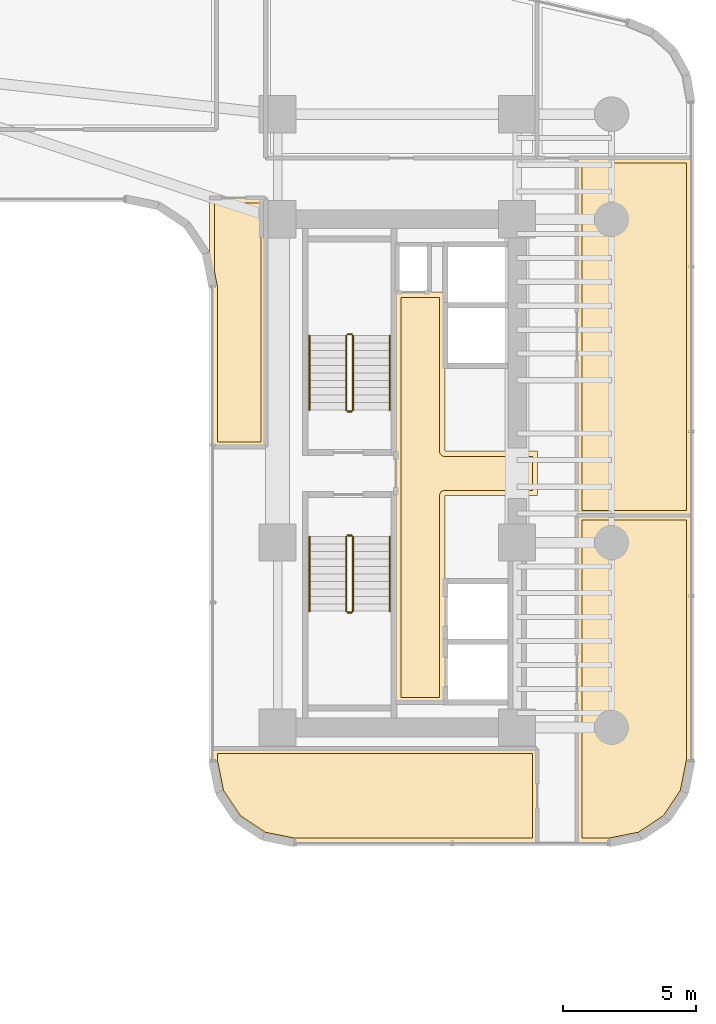
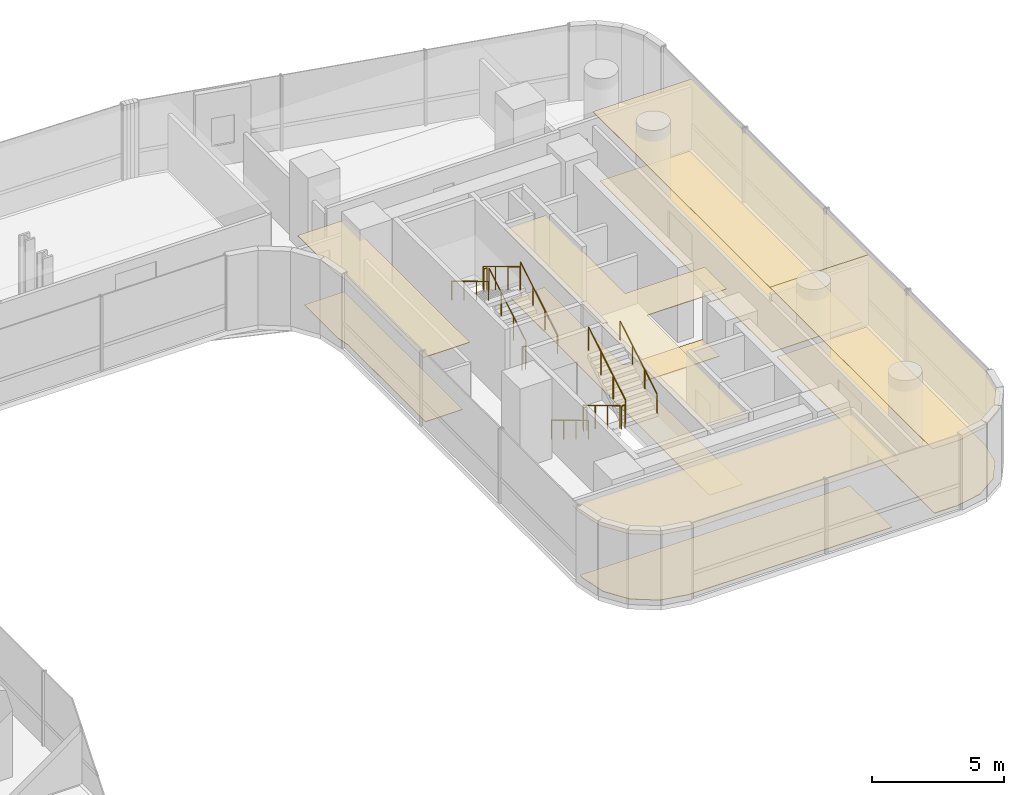
# One storey, part 39 of 40: 12 railings, 10 coverings.
"""IFC4 building model written with IfcOpenShell, lengths in metres."""

from ifc_helpers import new_model, si_unit, direction, frame, origin, origin_2d, place, context, subcontext, project, spatial, polyline, circle, outline, extrude, material, layer, layer_set, type_object, element, save


model = new_model("IFC4")

# Units and contexts
model_context = context("Model", 3, precision=1e-05, world=origin(), true_north=direction((0.0, 1.0)))
body_context = subcontext(model_context, "Body", "Model", "MODEL_VIEW")
ifc_project = project(units=[si_unit("LENGTHUNIT", "METRE"), si_unit("AREAUNIT", "SQUARE_METRE"), si_unit("VOLUMEUNIT", "CUBIC_METRE"), si_unit("PLANEANGLEUNIT", "RADIAN"), si_unit("MASSUNIT", "GRAM", prefix="KILO")], contexts=[model_context])

# Site, building, storey
site_placement = place(None, origin())
site = spatial("IfcSite", under=ifc_project, at=site_placement, CompositionType="ELEMENT")
building_placement = place(site_placement, origin())
building = spatial("IfcBuilding", under=site, at=building_placement, Name="Valdorenza Pilgrim Sanctuary Tower", CompositionType="ELEMENT")
storey_placement = place(building_placement, frame((0.0, 0.0, 51.89990234375)))
storey = spatial("IfcBuildingStorey", under=building, at=storey_placement, Name="L12", CompositionType="ELEMENT", Elevation=51.89990234375)

# Coverings
ifc_material_1 = material(Name="Micro-perforated acoustic mineral ceiling tile", Category="gypsum")
ifc_layer_1 = layer(ifc_material_1, 0.02490234375, Name="Micro-perforated acoustic mineral ceiling tile")
ifc_layer_set_1 = layer_set([ifc_layer_1], Name="Micro-perforated acoustic mineral ceiling tile")
covering_type_1 = type_object("IfcCoveringType", Name="COV-CLG-ACU", PredefinedType="CEILING", material=ifc_layer_set_1)
covering_1_placement = place(storey_placement, frame((0.0, 0.0, 3.16015625)))
element("IfcCovering", 1, at=covering_1_placement, inside=storey, type_object=covering_type_1, Name="L12 Core B Passenger Lift Lobby Acoustic Ceiling", PredefinedType="CEILING", context=body_context, shape_type="SweptSolid", body=[
    extrude(outline(polyline([(20.287109375, -0.814697265625), (20.287109375, 0.814697265625), (20.28662109375, 0.815185546875), (20.2861328125, 0.81640625), (20.28564453125, 0.81787109375), (20.285400390625, 0.819091796875), (20.28515625, 0.820556640625), (20.284912109375, 0.822021484375), (20.284912109375, 6.800048828125), (20.28515625, 6.801513671875), (20.285400390625, 6.802978515625), (20.28564453125, 6.804443359375), (20.2861328125, 6.8056640625), (20.286865234375, 6.80712890625), (20.28759765625, 6.808349609375), (20.288330078125, 6.8095703125), (20.289306640625, 6.810546875), (20.29052734375, 6.8115234375), (20.291748046875, 6.8125), (20.29296875, 6.813232421875), (20.294189453125, 6.81396484375), (20.295654296875, 6.814453125), (20.297119140625, 6.814697265625), (20.298583984375, 6.81494140625), (20.300048828125, 6.81494140625), (20.347900390625, 6.81494140625), (20.349365234375, 6.81494140625), (20.350830078125, 6.814697265625), (20.352294921875, 6.814453125), (20.353515625, 6.81396484375), (20.35498046875, 6.813232421875), (20.35546875, 6.81298828125), (21.544677734375, 6.81298828125), (21.545166015625, 6.813232421875), (21.54638671875, 6.81396484375), (21.5478515625, 6.814453125), (21.54931640625, 6.814697265625), (21.550537109375, 6.81494140625), (21.552001953125, 6.81494140625), (22.1201171875, 6.81494140625), (22.12158203125, 6.81494140625), (22.122802734375, 6.814697265625), (22.12451171875, 6.814453125), (22.125732421875, 6.81396484375), (22.127197265625, 6.813232421875), (22.12841796875, 6.8125), (22.12939453125, 6.8115234375), (22.130615234375, 6.810546875), (22.131591796875, 6.8095703125), (22.132568359375, 6.808349609375), (22.13330078125, 6.80712890625), (22.1337890625, 6.8056640625), (22.134521484375, 6.804443359375), (22.134765625, 6.802978515625), (22.135009765625, 6.801513671875), (22.135009765625, 6.800048828125), (22.135009765625, 0.8349609375), (25.60009765625, 0.8349609375), (25.6015625, 0.8349609375), (25.602783203125, 0.834716796875), (25.6044921875, 0.83447265625), (25.605712890625, 0.833984375), (25.607177734375, 0.833251953125), (25.6083984375, 0.83251953125), (25.609619140625, 0.83154296875), (25.610595703125, 0.83056640625), (25.611572265625, 0.82958984375), (25.612548828125, 0.828369140625), (25.61328125, 0.8271484375), (25.614013671875, 0.82568359375), (25.614501953125, 0.824462890625), (25.61474609375, 0.822998046875), (25.614990234375, 0.821533203125), (25.614990234375, 0.820068359375), (25.614990234375, -0.820068359375), (25.614990234375, -0.821533203125), (25.61474609375, -0.822998046875), (25.614501953125, -0.824462890625), (25.614013671875, -0.82568359375), (25.61328125, -0.8271484375), (25.612548828125, -0.828369140625), (25.611572265625, -0.82958984375), (25.610595703125, -0.83056640625), (25.609619140625, -0.83154296875), (25.6083984375, -0.83251953125), (25.607177734375, -0.833251953125), (25.605712890625, -0.833984375), (25.6044921875, -0.83447265625), (25.602783203125, -0.834716796875), (25.6015625, -0.8349609375), (25.60009765625, -0.8349609375), (22.135009765625, -0.8349609375), (22.135009765625, -8.60009765625), (22.135009765625, -8.6015625), (22.134765625, -8.602783203125), (22.134521484375, -8.6044921875), (22.1337890625, -8.605712890625), (22.13330078125, -8.607177734375), (22.132568359375, -8.6083984375), (22.131591796875, -8.609619140625), (22.130615234375, -8.610595703125), (22.12939453125, -8.611572265625), (22.12841796875, -8.612548828125), (22.127197265625, -8.61328125), (22.125732421875, -8.614013671875), (22.12451171875, -8.614501953125), (22.122802734375, -8.61474609375), (22.12158203125, -8.614990234375), (22.1201171875, -8.614990234375), (20.300048828125, -8.614990234375), (20.298583984375, -8.614990234375), (20.297119140625, -8.61474609375), (20.295654296875, -8.614501953125), (20.294189453125, -8.614013671875), (20.29296875, -8.61328125), (20.291748046875, -8.612548828125), (20.29052734375, -8.611572265625), (20.289306640625, -8.610595703125), (20.288330078125, -8.609619140625), (20.28759765625, -8.6083984375), (20.286865234375, -8.607177734375), (20.2861328125, -8.605712890625), (20.28564453125, -8.6044921875), (20.285400390625, -8.602783203125), (20.28515625, -8.6015625), (20.284912109375, -8.60009765625), (20.284912109375, -0.822021484375), (20.28515625, -0.820556640625), (20.285400390625, -0.819091796875), (20.28564453125, -0.81787109375), (20.2861328125, -0.81640625), (20.28662109375, -0.815185546875), (20.287109375, -0.814697265625)])), origin(), (0.0, 0.0, 1.0), 0.02490234375),
])
covering_2_placement = place(storey_placement, frame((0.0, 0.0, 3.16015625)))
element("IfcCovering", 2, at=covering_2_placement, inside=storey, type_object=covering_type_1, Name="L12 Theological Reference Library L12-BS Acoustic Ceiling", PredefinedType="CEILING", context=body_context, shape_type="SweptSolid", body=[
    extrude(outline(polyline([(25.614990234375, -13.889892578125), (25.614990234375, -13.8916015625), (25.61474609375, -13.892822265625), (25.614501953125, -13.894287109375), (25.614013671875, -13.895751953125), (25.61328125, -13.897216796875), (25.612548828125, -13.898193359375), (25.611572265625, -13.8994140625), (25.610595703125, -13.900634765625), (25.609619140625, -13.901611328125), (25.6083984375, -13.902587890625), (25.607177734375, -13.9033203125), (25.605712890625, -13.90380859375), (25.6044921875, -13.904296875), (25.602783203125, -13.90478515625), (25.6015625, -13.90478515625), (25.60009765625, -13.905029296875), (16.5107421875, -13.905029296875), (16.509521484375, -13.90478515625), (16.5078125, -13.90478515625), (15.3154296875, -13.66748046875), (15.31396484375, -13.6669921875), (15.3125, -13.66650390625), (15.311279296875, -13.666015625), (15.31005859375, -13.665283203125), (14.308349609375, -12.995849609375), (14.30712890625, -12.9951171875), (14.305908203125, -12.993896484375), (14.304931640625, -12.992919921875), (14.30419921875, -12.99169921875), (13.634765625, -11.989990234375), (13.634033203125, -11.98876953125), (13.63330078125, -11.9873046875), (13.6328125, -11.986083984375), (13.632568359375, -11.984619140625), (13.395263671875, -10.7919921875), (13.39501953125, -10.79052734375), (13.39501953125, -10.789306640625), (13.39501953125, -10.35009765625), (13.39501953125, -10.348388671875), (13.395263671875, -10.34716796875), (13.3955078125, -10.345703125), (13.39599609375, -10.34423828125), (13.396728515625, -10.343017578125), (13.3974609375, -10.341796875), (13.3984375, -10.340576171875), (13.3994140625, -10.33935546875), (13.400390625, -10.33837890625), (13.401611328125, -10.33740234375), (13.40283203125, -10.3369140625), (13.404296875, -10.336181640625), (13.405517578125, -10.335693359375), (13.406982421875, -10.335205078125), (13.408447265625, -10.335205078125), (13.409912109375, -10.3349609375), (25.60009765625, -10.3349609375), (25.6015625, -10.335205078125), (25.602783203125, -10.335205078125), (25.6044921875, -10.335693359375), (25.605712890625, -10.336181640625), (25.607177734375, -10.3369140625), (25.6083984375, -10.33740234375), (25.609619140625, -10.33837890625), (25.610595703125, -10.33935546875), (25.611572265625, -10.340576171875), (25.612548828125, -10.341796875), (25.61328125, -10.343017578125), (25.614013671875, -10.34423828125), (25.614501953125, -10.345703125), (25.61474609375, -10.34716796875), (25.614990234375, -10.348388671875), (25.614990234375, -10.35009765625), (25.614990234375, -13.889892578125)])), origin(), (0.0, 0.0, 1.0), 0.02490234375),
])
covering_3_placement = place(storey_placement, frame((0.0, 0.0, 3.16015625)))
element("IfcCovering", 3, at=covering_3_placement, inside=storey, type_object=covering_type_1, Name="L12 Sacred Art Exhibition Gallery L12-EB1 Acoustic Ceiling", PredefinedType="CEILING", context=body_context, shape_type="SweptSolid", body=[
    extrude(outline(polyline([(31.389892578125, -1.56005859375), (31.3916015625, -1.56005859375), (31.392822265625, -1.560302734375), (31.394287109375, -1.560546875), (31.395751953125, -1.56103515625), (31.397216796875, -1.561767578125), (31.398193359375, -1.5625), (31.3994140625, -1.5634765625), (31.400634765625, -1.564453125), (31.401611328125, -1.5654296875), (31.402587890625, -1.566650390625), (31.4033203125, -1.56787109375), (31.40380859375, -1.5693359375), (31.404296875, -1.570556640625), (31.40478515625, -1.572021484375), (31.40478515625, -1.573486328125), (31.405029296875, -1.574951171875), (31.405029296875, -10.789306640625), (31.40478515625, -10.79052734375), (31.40478515625, -10.7919921875), (31.16748046875, -11.984619140625), (31.1669921875, -11.986083984375), (31.16650390625, -11.9873046875), (31.166015625, -11.98876953125), (31.165283203125, -11.989990234375), (30.495849609375, -12.99169921875), (30.4951171875, -12.992919921875), (30.493896484375, -12.993896484375), (30.492919921875, -12.9951171875), (30.49169921875, -12.995849609375), (29.489990234375, -13.665283203125), (29.48876953125, -13.666015625), (29.4873046875, -13.66650390625), (29.486083984375, -13.6669921875), (29.484619140625, -13.66748046875), (28.2919921875, -13.90478515625), (28.29052734375, -13.90478515625), (28.289306640625, -13.905029296875), (27.10009765625, -13.905029296875), (27.098388671875, -13.90478515625), (27.09716796875, -13.90478515625), (27.095703125, -13.904296875), (27.09423828125, -13.90380859375), (27.093017578125, -13.9033203125), (27.091796875, -13.902587890625), (27.090576171875, -13.901611328125), (27.08935546875, -13.900634765625), (27.08837890625, -13.8994140625), (27.08740234375, -13.898193359375), (27.0869140625, -13.897216796875), (27.086181640625, -13.895751953125), (27.085693359375, -13.894287109375), (27.085205078125, -13.892822265625), (27.085205078125, -13.8916015625), (27.0849609375, -13.889892578125), (27.0849609375, -1.574951171875), (27.085205078125, -1.573486328125), (27.085205078125, -1.572021484375), (27.085693359375, -1.570556640625), (27.086181640625, -1.5693359375), (27.0869140625, -1.56787109375), (27.08740234375, -1.566650390625), (27.08837890625, -1.5654296875), (27.08935546875, -1.564453125), (27.090576171875, -1.5634765625), (27.091796875, -1.5625), (27.093017578125, -1.561767578125), (27.09423828125, -1.56103515625), (27.095703125, -1.560546875), (27.09716796875, -1.560302734375), (27.098388671875, -1.56005859375), (27.10009765625, -1.56005859375), (31.389892578125, -1.56005859375)])), origin(), (0.0, 0.0, 1.0), 0.02490234375),
])
covering_4_placement = place(storey_placement, frame((0.0, 0.0, 3.16015625)))
element("IfcCovering", 4, at=covering_4_placement, inside=storey, type_object=covering_type_1, Name="L12 Sacred Art Exhibition Gallery L12-EB2 Acoustic Ceiling", PredefinedType="CEILING", context=body_context, shape_type="SweptSolid", body=[
    extrude(outline(polyline([(27.0849609375, 11.847900390625), (27.085205078125, 11.849609375), (27.085205078125, 11.850830078125), (27.085693359375, 11.852294921875), (27.086181640625, 11.853759765625), (27.0869140625, 11.85498046875), (27.08740234375, 11.856201171875), (27.08837890625, 11.857421875), (27.08935546875, 11.858642578125), (27.090576171875, 11.859619140625), (27.091796875, 11.860595703125), (27.093017578125, 11.861083984375), (27.09423828125, 11.86181640625), (27.095703125, 11.8623046875), (27.09716796875, 11.86279296875), (27.098388671875, 11.86279296875), (27.10009765625, 11.863037109375), (31.389892578125, 11.863037109375), (31.3916015625, 11.86279296875), (31.392822265625, 11.86279296875), (31.394287109375, 11.8623046875), (31.395751953125, 11.86181640625), (31.397216796875, 11.861083984375), (31.398193359375, 11.860595703125), (31.3994140625, 11.859619140625), (31.400634765625, 11.858642578125), (31.401611328125, 11.857421875), (31.402587890625, 11.856201171875), (31.4033203125, 11.85498046875), (31.40380859375, 11.853759765625), (31.404296875, 11.852294921875), (31.40478515625, 11.850830078125), (31.40478515625, 11.849609375), (31.405029296875, 11.847900390625), (31.405029296875, -1.572998046875), (31.40478515625, -1.574462890625), (31.40478515625, -1.575927734375), (31.404296875, -1.577392578125), (31.40380859375, -1.57861328125), (31.4033203125, -1.580078125), (31.402587890625, -1.581298828125), (31.401611328125, -1.58251953125), (31.400634765625, -1.58349609375), (31.3994140625, -1.584716796875), (31.398193359375, -1.58544921875), (31.397216796875, -1.586181640625), (31.395751953125, -1.5869140625), (31.394287109375, -1.58740234375), (31.392822265625, -1.587646484375), (31.3916015625, -1.587890625), (31.389892578125, -1.587890625), (27.10009765625, -1.587890625), (27.098388671875, -1.587890625), (27.09716796875, -1.587646484375), (27.095703125, -1.58740234375), (27.09423828125, -1.5869140625), (27.093017578125, -1.586181640625), (27.091796875, -1.58544921875), (27.090576171875, -1.584716796875), (27.08935546875, -1.58349609375), (27.08837890625, -1.58251953125), (27.08740234375, -1.581298828125), (27.0869140625, -1.580078125), (27.086181640625, -1.57861328125), (27.085693359375, -1.577392578125), (27.085205078125, -1.575927734375), (27.085205078125, -1.574462890625), (27.0849609375, -1.572998046875), (27.0849609375, 11.847900390625)])), origin(), (0.0, 0.0, 1.0), 0.02490234375),
])
covering_5_placement = place(storey_placement, frame((0.0, 0.0, 3.16015625)))
element("IfcCovering", 5, at=covering_5_placement, inside=storey, type_object=covering_type_1, Name="L12 Courtyard Overlook Salon L12 Acoustic Ceiling", PredefinedType="CEILING", context=body_context, shape_type="SweptSolid", body=[
    extrude(outline(polyline([(15.39990234375, 10.364990234375), (15.401611328125, 10.364990234375), (15.40283203125, 10.36474609375), (15.404296875, 10.364501953125), (15.40576171875, 10.364013671875), (15.406982421875, 10.36328125), (15.408203125, 10.362548828125), (15.409423828125, 10.361572265625), (15.41064453125, 10.360595703125), (15.41162109375, 10.359619140625), (15.41259765625, 10.3583984375), (15.4130859375, 10.357177734375), (15.413818359375, 10.355712890625), (15.414306640625, 10.3544921875), (15.414794921875, 10.352783203125), (15.414794921875, 10.3515625), (15.4150390625, 10.35009765625), (15.4150390625, 1.0), (15.414794921875, 0.99853515625), (15.414794921875, 0.9970703125), (15.414306640625, 0.99560546875), (15.413818359375, 0.994384765625), (15.4130859375, 0.992919921875), (15.41259765625, 0.99169921875), (15.41162109375, 0.990478515625), (15.41064453125, 0.989501953125), (15.409423828125, 0.98828125), (15.408203125, 0.987548828125), (15.406982421875, 0.98681640625), (15.40576171875, 0.986083984375), (15.404296875, 0.985595703125), (15.40283203125, 0.9853515625), (15.401611328125, 0.985107421875), (15.39990234375, 0.985107421875), (13.409912109375, 0.985107421875), (13.408447265625, 0.985107421875), (13.406982421875, 0.9853515625), (13.405517578125, 0.985595703125), (13.404296875, 0.986083984375), (13.40283203125, 0.98681640625), (13.401611328125, 0.987548828125), (13.400390625, 0.98828125), (13.3994140625, 0.989501953125), (13.3984375, 0.990478515625), (13.3974609375, 0.99169921875), (13.396728515625, 0.992919921875), (13.39599609375, 0.994384765625), (13.3955078125, 0.99560546875), (13.395263671875, 0.9970703125), (13.39501953125, 0.99853515625), (13.39501953125, 1.0), (13.39501953125, 6.99951171875), (13.39453125, 7.00927734375), (13.39306640625, 7.018798828125), (13.285400390625, 7.560791015625), (13.28515625, 7.562255859375), (13.284912109375, 7.563720703125), (13.284912109375, 10.35009765625), (13.28515625, 10.3515625), (13.285400390625, 10.352783203125), (13.28564453125, 10.3544921875), (13.2861328125, 10.355712890625), (13.286865234375, 10.357177734375), (13.28759765625, 10.3583984375), (13.288330078125, 10.359619140625), (13.289306640625, 10.360595703125), (13.29052734375, 10.361572265625), (13.291748046875, 10.362548828125), (13.29296875, 10.36328125), (13.294189453125, 10.364013671875), (13.295654296875, 10.364501953125), (13.297119140625, 10.36474609375), (13.298583984375, 10.364990234375), (13.300048828125, 10.364990234375), (15.39990234375, 10.364990234375)])), origin(), (0.0, 0.0, 1.0), 0.02490234375),
])
ifc_material_2 = material(Name="Honed travertine stone flooring", Category="masonry")
ifc_layer_2 = layer(ifc_material_2, 0.030029296875, Name="Honed travertine stone flooring")
ifc_layer_set_2 = layer_set([ifc_layer_2], Name="Honed travertine stone flooring")
covering_type_2 = type_object("IfcCoveringType", Name="COV-FLR-TRV", PredefinedType="FLOORING", material=ifc_layer_set_2)
covering_6_placement = place(storey_placement, origin())
element("IfcCovering", 6, at=covering_6_placement, inside=storey, type_object=covering_type_2, Name="L12 Core B Passenger Lift Lobby Flooring", PredefinedType="FLOORING", context=body_context, shape_type="SweptSolid", body=[
    extrude(outline(polyline([(20.47998046875, 6.617919921875), (21.550048828125, 6.617919921875), (21.550537109375, 6.617919921875), (21.93994140625, 6.619384765625), (21.93994140625, 0.820068359375), (21.94091796875, 0.802490234375), (21.943603515625, 0.784912109375), (21.94775390625, 0.767578125), (21.95361328125, 0.751220703125), (21.961181640625, 0.735107421875), (21.97021484375, 0.719970703125), (21.98095703125, 0.705810546875), (21.99267578125, 0.692626953125), (22.005859375, 0.680908203125), (22.02001953125, 0.67041015625), (22.03515625, 0.661376953125), (22.051025390625, 0.65380859375), (22.067626953125, 0.647705078125), (22.0849609375, 0.6435546875), (22.102294921875, 0.640869140625), (22.1201171875, 0.639892578125), (25.419921875, 0.639892578125), (25.419921875, -0.639892578125), (22.1201171875, -0.639892578125), (22.102294921875, -0.640869140625), (22.0849609375, -0.6435546875), (22.067626953125, -0.647705078125), (22.051025390625, -0.65380859375), (22.03515625, -0.661376953125), (22.02001953125, -0.67041015625), (22.005859375, -0.680908203125), (21.99267578125, -0.692626953125), (21.98095703125, -0.705810546875), (21.97021484375, -0.719970703125), (21.961181640625, -0.735107421875), (21.95361328125, -0.751220703125), (21.94775390625, -0.767578125), (21.943603515625, -0.784912109375), (21.94091796875, -0.802490234375), (21.93994140625, -0.820068359375), (21.93994140625, -8.419921875), (20.47998046875, -8.419921875), (20.47998046875, -0.846923828125), (20.47998046875, -0.8466796875), (20.47998046875, -0.8466796875), (20.481689453125, -0.8291015625), (20.481689453125, -0.828857421875), (20.48193359375, -0.820068359375), (20.48193359375, 0.820068359375), (20.47998046875, 6.617919921875)])), origin(), (0.0, 0.0, 1.0), 0.025146484375),
])
covering_7_placement = place(storey_placement, origin())
element("IfcCovering", 7, at=covering_7_placement, inside=storey, type_object=covering_type_2, Name="L12 Theological Reference Library L12-BS Flooring", PredefinedType="FLOORING", context=body_context, shape_type="SweptSolid", body=[
    extrude(outline(polyline([(25.419921875, -13.7099609375), (16.528564453125, -13.7099609375), (15.388671875, -13.483154296875), (14.4462890625, -12.853515625), (13.81689453125, -11.911376953125), (13.590087890625, -10.771484375), (13.590087890625, -10.530029296875), (25.419921875, -10.530029296875), (25.419921875, -13.7099609375)])), origin(), (0.0, 0.0, 1.0), 0.025146484375),
])
covering_8_placement = place(storey_placement, origin())
element("IfcCovering", 8, at=covering_8_placement, inside=storey, type_object=covering_type_2, Name="L12 Sacred Art Exhibition Gallery L12-EB1 Flooring", PredefinedType="FLOORING", context=body_context, shape_type="SweptSolid", body=[
    extrude(outline(polyline([(31.2099609375, -1.7548828125), (31.2099609375, -10.771484375), (30.983154296875, -11.911376953125), (30.353515625, -12.853515625), (29.411376953125, -13.483154296875), (28.271484375, -13.7099609375), (27.280029296875, -13.7099609375), (27.280029296875, -1.7548828125), (31.2099609375, -1.7548828125)])), origin(), (0.0, 0.0, 1.0), 0.025146484375),
])
covering_9_placement = place(storey_placement, origin())
element("IfcCovering", 9, at=covering_9_placement, inside=storey, type_object=covering_type_2, Name="L12 Sacred Art Exhibition Gallery L12-EB2 Flooring", PredefinedType="FLOORING", context=body_context, shape_type="SweptSolid", body=[
    extrude(outline(polyline([(27.280029296875, 11.66796875), (31.2099609375, 11.66796875), (31.2099609375, -1.39306640625), (27.280029296875, -1.39306640625), (27.280029296875, 11.66796875)])), origin(), (0.0, 0.0, 1.0), 0.025146484375),
])
covering_10_placement = place(storey_placement, origin())
element("IfcCovering", 10, at=covering_10_placement, inside=storey, type_object=covering_type_2, Name="L12 Courtyard Overlook Salon L12 Flooring", PredefinedType="FLOORING", context=body_context, shape_type="SweptSolid", body=[
    extrude(outline(polyline([(15.219970703125, 10.169921875), (15.219970703125, 1.179931640625), (13.590087890625, 1.179931640625), (13.590087890625, 7.0), (13.58984375, 7.0087890625), (13.58935546875, 7.01953125), (13.58740234375, 7.037109375), (13.5859375, 7.0478515625), (13.58447265625, 7.056640625), (13.47998046875, 7.58154296875), (13.47998046875, 10.169921875), (15.219970703125, 10.169921875)])), origin(), (0.0, 0.0, 1.0), 0.025146484375),
])

# Railings
ifc_material_3 = material(Name="Stainless steel Grade 316", Category="steel")
railing_type_1 = type_object("IfcRailingType", Name="RLG-GRD-1120", PredefinedType="GUARDRAIL", material=ifc_material_3)
railing_1_placement = place(storey_placement, frame((18.679931640625, 2.3798828125, 0.168212890625)))
element("IfcRailing", 11, at=railing_1_placement, inside=storey, type_object=railing_type_1, Name="L12 ST-B1 stair guard 1", PredefinedType="GUARDRAIL", context=body_context, shape_type="SweptSolid", body=[
    extrude(circle(Radius=0.02392578125, at=origin_2d()), frame((0.0, 0.0, 1.076171875), z_axis=(0.0, 0.857242210791, 0.514913383045), x_axis=(-1.0, 0.0, 0.0)), (0.0, 0.0, 1.0), 3.266357421875),
    extrude(circle(Radius=0.02099609375, at=origin_2d()), origin(), (0.0, 0.0, 1.0), 1.052001953125),
    extrude(circle(Radius=0.02099609375, at=origin_2d()), frame((0.0, 0.933349609375, 0.560546875)), (0.0, 0.0, 1.0), 1.052001953125),
    extrude(circle(Radius=0.02099609375, at=origin_2d()), frame((0.0, 1.86669921875, 1.121337890625)), (0.0, 0.0, 1.0), 1.052001953125),
    extrude(circle(Radius=0.02099609375, at=origin_2d()), frame((0.0, 2.800048828125, 1.681884765625)), (0.0, 0.0, 1.0), 1.052001953125),
])
railing_2_placement = place(storey_placement, frame((18.6298828125, 5.22998046875, 1.85009765625)))
element("IfcRailing", 12, at=railing_2_placement, inside=storey, type_object=railing_type_1, Name="L12 ST-B1 stair guard 2", PredefinedType="GUARDRAIL", context=body_context, shape_type="SweptSolid", body=[
    extrude(circle(Radius=0.02392578125, at=origin_2d()), frame((0.0, 0.0, 1.076171875), z_axis=(-1.0, 0.0, 0.0), x_axis=(0.0, -1.0, 0.0)), (0.0, 0.0, 1.0), 0.14990234375),
    extrude(circle(Radius=0.02099609375, at=origin_2d()), origin(), (0.0, 0.0, 1.0), 1.052001953125),
    extrude(circle(Radius=0.02099609375, at=origin_2d()), frame((-0.14990234375, 0.0, 0.0)), (0.0, 0.0, 1.0), 1.052001953125),
])
railing_3_placement = place(storey_placement, frame((18.429931640625, 5.179931640625, 2.018310546875)))
element("IfcRailing", 13, at=railing_3_placement, inside=storey, type_object=railing_type_1, Name="L12 ST-B1 stair guard 3", PredefinedType="GUARDRAIL", context=body_context, shape_type="SweptSolid", body=[
    extrude(circle(Radius=0.02392578125, at=origin_2d()), frame((0.0, 0.0, 1.076171875), z_axis=(0.0, -0.857242210791, 0.514913383045), x_axis=(1.0, 0.0, 0.0)), (0.0, 0.0, 1.0), 3.266357421875),
    extrude(circle(Radius=0.02099609375, at=origin_2d()), origin(), (0.0, 0.0, 1.0), 1.052001953125),
    extrude(circle(Radius=0.02099609375, at=origin_2d()), frame((0.0, -0.933349609375, 0.560546875)), (0.0, 0.0, 1.0), 1.052001953125),
    extrude(circle(Radius=0.02099609375, at=origin_2d()), frame((0.0, -1.86669921875, 1.121337890625)), (0.0, 0.0, 1.0), 1.052001953125),
    extrude(circle(Radius=0.02099609375, at=origin_2d()), frame((0.0, -2.800048828125, 1.681884765625)), (0.0, 0.0, 1.0), 1.052001953125),
])
railing_4_placement = place(storey_placement, frame((18.6298828125, 2.330078125, 0.0)))
element("IfcRailing", 14, at=railing_4_placement, inside=storey, type_object=railing_type_1, Name="L12 ST-B1 stair guard 4", PredefinedType="GUARDRAIL", context=body_context, shape_type="SweptSolid", body=[
    extrude(circle(Radius=0.02392578125, at=origin_2d()), frame((0.0, 0.0, 1.076171875), z_axis=(-1.0, 0.0, 0.0), x_axis=(0.0, -1.0, 0.0)), (0.0, 0.0, 1.0), 0.14990234375),
    extrude(circle(Radius=0.02099609375, at=origin_2d()), origin(), (0.0, 0.0, 1.0), 1.052001953125),
    extrude(circle(Radius=0.02099609375, at=origin_2d()), frame((-0.14990234375, 0.0, 0.0)), (0.0, 0.0, 1.0), 1.052001953125),
])
railing_5_placement = place(storey_placement, frame((18.429931640625, -2.3798828125, 0.168212890625)))
element("IfcRailing", 15, at=railing_5_placement, inside=storey, type_object=railing_type_1, Name="L12 ST-B2 stair guard 1", PredefinedType="GUARDRAIL", context=body_context, shape_type="SweptSolid", body=[
    extrude(circle(Radius=0.02392578125, at=origin_2d()), frame((0.0, 0.0, 1.076171875), z_axis=(0.0, -0.857242210791, 0.514913383045), x_axis=(1.0, 0.0, 0.0)), (0.0, 0.0, 1.0), 3.266357421875),
    extrude(circle(Radius=0.02099609375, at=origin_2d()), origin(), (0.0, 0.0, 1.0), 1.052001953125),
    extrude(circle(Radius=0.02099609375, at=origin_2d()), frame((0.0, -0.933349609375, 0.560546875)), (0.0, 0.0, 1.0), 1.052001953125),
    extrude(circle(Radius=0.02099609375, at=origin_2d()), frame((0.0, -1.86669921875, 1.121337890625)), (0.0, 0.0, 1.0), 1.052001953125),
    extrude(circle(Radius=0.02099609375, at=origin_2d()), frame((0.0, -2.800048828125, 1.681884765625)), (0.0, 0.0, 1.0), 1.052001953125),
])
railing_6_placement = place(storey_placement, frame((18.47998046875, -5.22998046875, 1.85009765625)))
element("IfcRailing", 16, at=railing_6_placement, inside=storey, type_object=railing_type_1, Name="L12 ST-B2 stair guard 2", PredefinedType="GUARDRAIL", context=body_context, shape_type="SweptSolid", body=[
    extrude(circle(Radius=0.02392578125, at=origin_2d()), frame((0.0, 0.0, 1.076171875), z_axis=(1.0, 0.0, 0.0), x_axis=(0.0, 1.0, 0.0)), (0.0, 0.0, 1.0), 0.14990234375),
    extrude(circle(Radius=0.02099609375, at=origin_2d()), origin(), (0.0, 0.0, 1.0), 1.052001953125),
    extrude(circle(Radius=0.02099609375, at=origin_2d()), frame((0.14990234375, 0.0, 0.0)), (0.0, 0.0, 1.0), 1.052001953125),
])
railing_7_placement = place(storey_placement, frame((18.679931640625, -5.179931640625, 2.018310546875)))
element("IfcRailing", 17, at=railing_7_placement, inside=storey, type_object=railing_type_1, Name="L12 ST-B2 stair guard 3", PredefinedType="GUARDRAIL", context=body_context, shape_type="SweptSolid", body=[
    extrude(circle(Radius=0.02392578125, at=origin_2d()), frame((0.0, 0.0, 1.076171875), z_axis=(0.0, 0.857242210791, 0.514913383045), x_axis=(-1.0, 0.0, 0.0)), (0.0, 0.0, 1.0), 3.266357421875),
    extrude(circle(Radius=0.02099609375, at=origin_2d()), origin(), (0.0, 0.0, 1.0), 1.052001953125),
    extrude(circle(Radius=0.02099609375, at=origin_2d()), frame((0.0, 0.933349609375, 0.560546875)), (0.0, 0.0, 1.0), 1.052001953125),
    extrude(circle(Radius=0.02099609375, at=origin_2d()), frame((0.0, 1.86669921875, 1.121337890625)), (0.0, 0.0, 1.0), 1.052001953125),
    extrude(circle(Radius=0.02099609375, at=origin_2d()), frame((0.0, 2.800048828125, 1.681884765625)), (0.0, 0.0, 1.0), 1.052001953125),
])
railing_8_placement = place(storey_placement, frame((18.47998046875, -2.330078125, 0.0)))
element("IfcRailing", 18, at=railing_8_placement, inside=storey, type_object=railing_type_1, Name="L12 ST-B2 stair guard 4", PredefinedType="GUARDRAIL", context=body_context, shape_type="SweptSolid", body=[
    extrude(circle(Radius=0.02392578125, at=origin_2d()), frame((0.0, 0.0, 1.076171875), z_axis=(1.0, 0.0, 0.0), x_axis=(0.0, 1.0, 0.0)), (0.0, 0.0, 1.0), 0.14990234375),
    extrude(circle(Radius=0.02099609375, at=origin_2d()), origin(), (0.0, 0.0, 1.0), 1.052001953125),
    extrude(circle(Radius=0.02099609375, at=origin_2d()), frame((0.14990234375, 0.0, 0.0)), (0.0, 0.0, 1.0), 1.052001953125),
])
ifc_material_4 = material(Name="Brushed stainless steel Grade 316", Category="steel")
railing_type_2 = type_object("IfcRailingType", Name="RLG-HND-920", PredefinedType="HANDRAIL", material=ifc_material_4)
railing_9_placement = place(storey_placement, frame((20.06005859375, 2.3798828125, 0.168212890625)))
element("IfcRailing", 19, at=railing_9_placement, inside=storey, type_object=railing_type_2, Name="L12 ST-B1 stair handrail 1", PredefinedType="HANDRAIL", context=body_context, shape_type="SweptSolid", body=[
    extrude(circle(Radius=0.02392578125, at=origin_2d()), frame((0.0, 0.0, 0.8759765625), z_axis=(0.0, 0.857242210791, 0.514913383045), x_axis=(-1.0, 0.0, 0.0)), (0.0, 0.0, 1.0), 3.266357421875),
    extrude(circle(Radius=0.02099609375, at=origin_2d()), origin(), (0.0, 0.0, 1.0), 0.851806640625),
    extrude(circle(Radius=0.02099609375, at=origin_2d()), frame((0.0, 0.933349609375, 0.560546875)), (0.0, 0.0, 1.0), 0.851806640625),
    extrude(circle(Radius=0.02099609375, at=origin_2d()), frame((0.0, 1.86669921875, 1.121337890625)), (0.0, 0.0, 1.0), 0.851806640625),
    extrude(circle(Radius=0.02099609375, at=origin_2d()), frame((0.0, 2.800048828125, 1.681884765625)), (0.0, 0.0, 1.0), 0.851806640625),
])
for number, where, name in (
    (20, (17.050048828125, 5.179931640625, 2.018310546875), "L12 ST-B1 stair handrail 2"),
    (21, (17.050048828125, -2.3798828125, 0.168212890625), "L12 ST-B2 stair handrail 1"),
):
    element("IfcRailing", number, at=place(storey_placement, frame(where)), inside=storey, type_object=railing_type_2, Name=name, PredefinedType="HANDRAIL", context=body_context, shape_type="SweptSolid", body=[
        extrude(circle(Radius=0.02392578125, at=origin_2d()), frame((0.0, 0.0, 0.8759765625), z_axis=(0.0, -0.857242210791, 0.514913383045), x_axis=(1.0, 0.0, 0.0)), (0.0, 0.0, 1.0), 3.266357421875),
        extrude(circle(Radius=0.02099609375, at=origin_2d()), origin(), (0.0, 0.0, 1.0), 0.851806640625),
        extrude(circle(Radius=0.02099609375, at=origin_2d()), frame((0.0, -0.933349609375, 0.560546875)), (0.0, 0.0, 1.0), 0.851806640625),
        extrude(circle(Radius=0.02099609375, at=origin_2d()), frame((0.0, -1.86669921875, 1.121337890625)), (0.0, 0.0, 1.0), 0.851806640625),
        extrude(circle(Radius=0.02099609375, at=origin_2d()), frame((0.0, -2.800048828125, 1.681884765625)), (0.0, 0.0, 1.0), 0.851806640625),
    ])
railing_10_placement = place(storey_placement, frame((20.06005859375, -5.179931640625, 2.018310546875)))
element("IfcRailing", 22, at=railing_10_placement, inside=storey, type_object=railing_type_2, Name="L12 ST-B2 stair handrail 2", PredefinedType="HANDRAIL", context=body_context, shape_type="SweptSolid", body=[
    extrude(circle(Radius=0.02392578125, at=origin_2d()), frame((0.0, 0.0, 0.8759765625), z_axis=(0.0, 0.857242210791, 0.514913383045), x_axis=(-1.0, 0.0, 0.0)), (0.0, 0.0, 1.0), 3.266357421875),
    extrude(circle(Radius=0.02099609375, at=origin_2d()), origin(), (0.0, 0.0, 1.0), 0.851806640625),
    extrude(circle(Radius=0.02099609375, at=origin_2d()), frame((0.0, 0.933349609375, 0.560546875)), (0.0, 0.0, 1.0), 0.851806640625),
    extrude(circle(Radius=0.02099609375, at=origin_2d()), frame((0.0, 1.86669921875, 1.121337890625)), (0.0, 0.0, 1.0), 0.851806640625),
    extrude(circle(Radius=0.02099609375, at=origin_2d()), frame((0.0, 2.800048828125, 1.681884765625)), (0.0, 0.0, 1.0), 0.851806640625),
])

save(model, "model.ifc")
